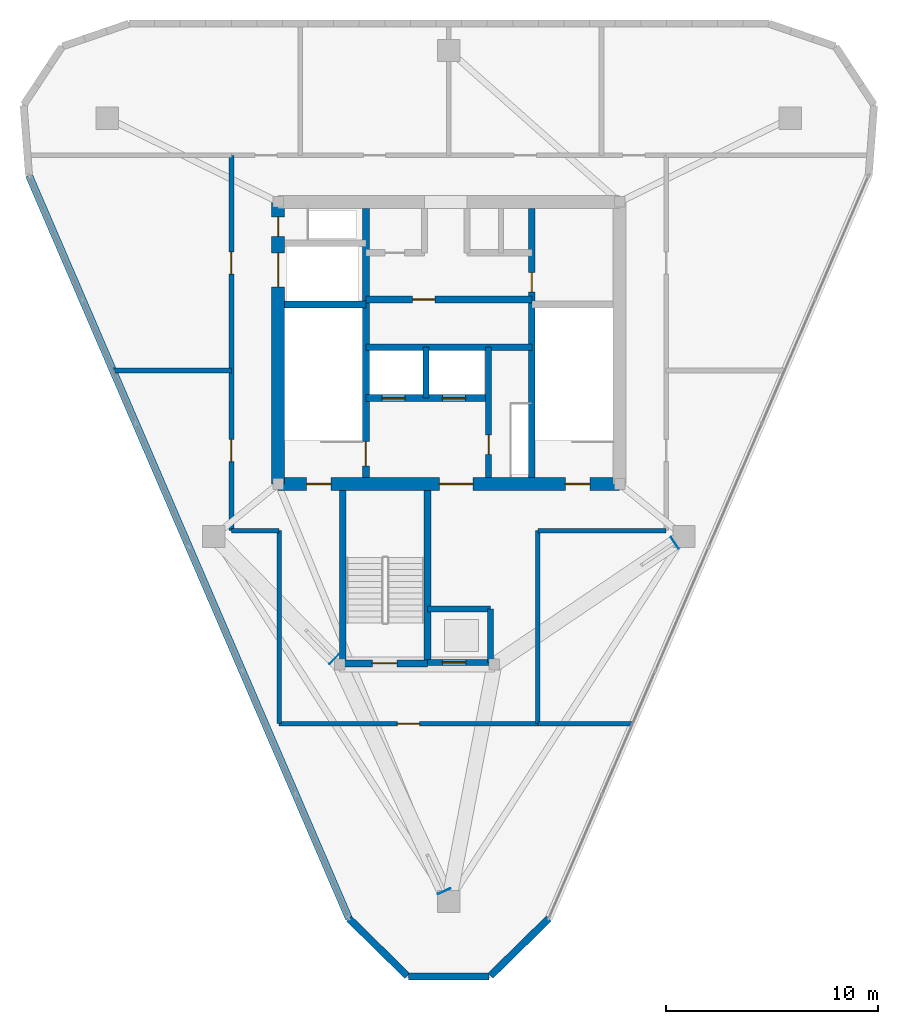
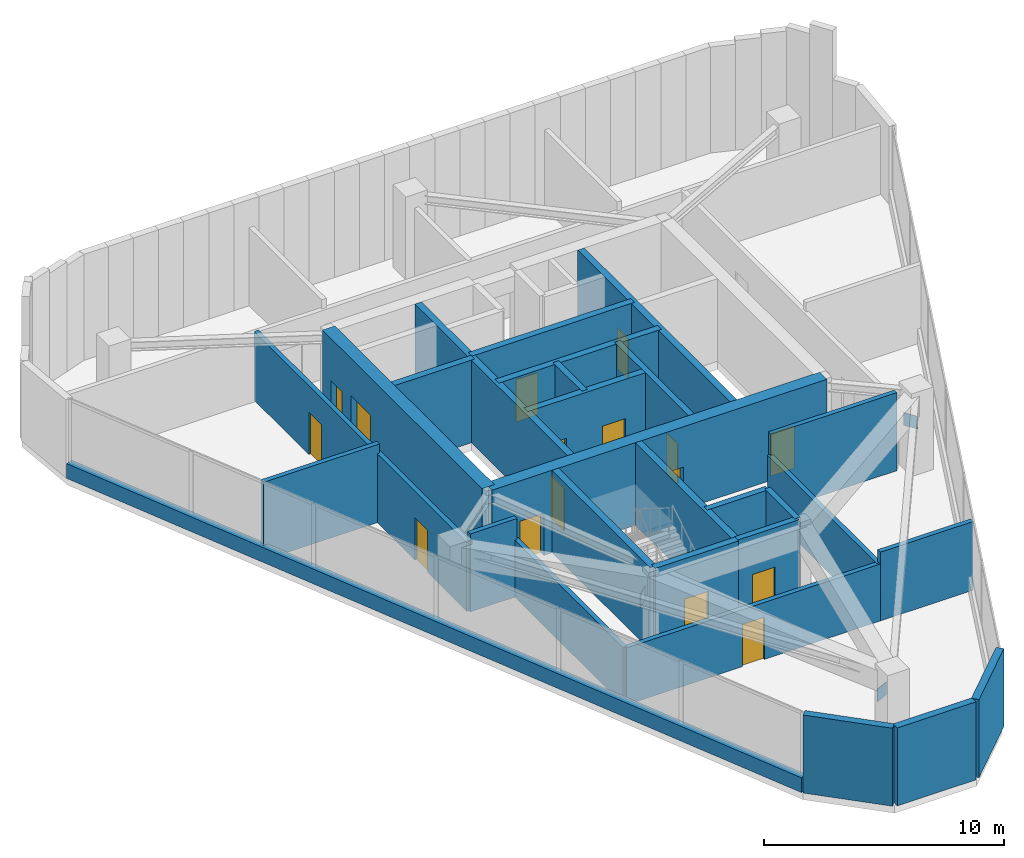
# One storey, part 5 of 9: 28 walls, 16 doors, 3 plates, 16 openings.
"""IFC4 building model written with IfcOpenShell, lengths in metres."""

from ifc_helpers import new_model, si_unit, direction, frame, frame_2d, origin, origin_2d, place, context, subcontext, project, spatial, rectangle, extrude, material, layer, layer_set, type_object, element, fill, save


model = new_model("IFC4")

# Units and contexts
model_context = context("Model", 3, precision=1e-05, world=origin(), true_north=direction((0.0, 1.0)))
body_context = subcontext(model_context, "Body", "Model", "MODEL_VIEW")
ifc_project = project(units=[si_unit("LENGTHUNIT", "METRE"), si_unit("AREAUNIT", "SQUARE_METRE"), si_unit("VOLUMEUNIT", "CUBIC_METRE"), si_unit("PLANEANGLEUNIT", "RADIAN"), si_unit("MASSUNIT", "GRAM", prefix="KILO")], contexts=[model_context])

# Site, building, storey
site_placement = place(None, origin())
site = spatial("IfcSite", under=ifc_project, at=site_placement, CompositionType="ELEMENT")
building_placement = place(site_placement, origin())
building = spatial("IfcBuilding", under=site, at=building_placement, Name="Talyreon Biosciences Tower", CompositionType="ELEMENT")
storey_placement = place(building_placement, frame((0.0, 0.0, 317.199951171875)))
storey = spatial("IfcBuildingStorey", under=building, at=storey_placement, Name="L84", CompositionType="ELEMENT", Elevation=317.199951171875)

# Plates
ifc_material_1 = material(Name="Steel SM355", Category="steel")
ifc_layer_1 = layer(ifc_material_1, 0.028076171875)
ifc_layer_set_1 = layer_set([ifc_layer_1], Name="Steel SM355")
plate_type = type_object("IfcPlateType", Name="HollowEndCapPlate_28", PredefinedType="SHEET", material=ifc_layer_set_1)
for number, where, z_axis, x_axis, name in (
    (1, (65.778076171875, 42.148193359375, 2.35498046875), (0.0, 0.0, 1.0), (-0.908172399575, -0.418596336163, 0.0), "Truss node plate NP-L84-ST-01"),
    (2, (76.647216796875, 58.58349609375, 2.35498046875), (0.0, 0.0, 1.0), (0.560017384428, -0.82848085623, 0.0), "Truss node plate NP-L84-ST-02"),
    (3, (60.59765625, 53.0966796875, 2.35498046875), (0.0, 0.0, 1.0), (-0.713225982371, -0.70093416101, 0.0), "Truss node plate NP-L84-ST-03"),
):
    element("IfcPlate", number, at=place(storey_placement, frame(where, z_axis=z_axis, x_axis=x_axis)), inside=storey, type_object=plate_type, Name=name, PredefinedType="SHEET", context=body_context, shape_type="SweptSolid", body=[
        extrude(rectangle(XDim=0.64990234375, YDim=0.028076171875, at=origin_2d()), origin(), (0.0, 0.0, 1.0), 0.64990234375),
    ])

# Wall
ifc_material_2 = material(Name="Concrete C50/60", Category="concrete")
ifc_layer_2 = layer(ifc_material_2, 0.280029296875)
ifc_layer_set_2 = layer_set([ifc_layer_2], Name="Concrete C50/60")
wall_type_1 = type_object("IfcWallType", Name="CoreShearWall_280", PredefinedType="SHEAR", material=ifc_layer_set_2)
wall_1_placement = place(storey_placement, frame((64.919921875, 65.39990234375, 0.0), z_axis=(0.0, 0.0, 1.0), x_axis=(0.0, 1.0, 0.0)))
element("IfcWall", 4, at=wall_1_placement, inside=storey, type_object=wall_type_1, Name="L84 Core Shaft Wall SWSHD1", PredefinedType="SHEAR", context=body_context, shape_type="SweptSolid", body=[
    extrude(rectangle(XDim=2.400146484375, YDim=0.280029296875, at=frame_2d((1.2001953125, 0.0))), origin(), (0.0, 0.0, 1.0), 4.199951171875),
])

# Wall, opening, door
wall_2_placement = place(storey_placement, frame((67.8798828125, 61.64990234375, 0.0), z_axis=(0.0, 0.0, 1.0), x_axis=(0.0, 1.0, 0.0)))
wall_2 = element("IfcWall", 5, at=wall_2_placement, inside=storey, type_object=wall_type_1, Name="L84 Core Shaft Wall SWFFE", PredefinedType="SHEAR", context=body_context, shape_type="SweptSolid", body=[
    extrude(rectangle(XDim=6.150146484375, YDim=0.280029296875, at=frame_2d((3.0751953125, 0.0))), origin(), (0.0, 0.0, 1.0), 4.199951171875),
])
opening_1_placement = place(wall_2_placement, frame((1.10009765625, 0.0, 0.0)))
opening_1 = element("IfcOpeningElement", 6, at=opening_1_placement, cuts=wall_2, Name="Opening DR-L84-RSE", PredefinedType="OPENING", context=body_context, shape_type="SweptSolid", body=[
    extrude(rectangle(XDim=0.919921875, YDim=2.050048828125, at=frame_2d((0.4599609375, 1.02490234375))), frame((0.0, 0.14990234375, 0.0), z_axis=(0.0, -1.0, 0.0), x_axis=(1.0, 0.0, 0.0)), (0.0, 0.0, 1.0), 0.300048828125),
])
ifc_material_3 = material(Name="Painted steel fire-rated riser door", Category="steel")
door_type_1 = type_object("IfcDoorType", Name="RiserPlantAccessDoor_920x2050", OperationType="NOTDEFINED", PredefinedType="DOOR", material=ifc_material_3)
door_1_placement = place(opening_1_placement, origin())
door_1 = element("IfcDoor", 7, at=door_1_placement, inside=storey, type_object=door_type_1, Name="L84 Core Door DR-L84-RSE", OperationType="SINGLE_SWING_RIGHT", OverallHeight=2.050048828125, OverallWidth=0.919921875, PredefinedType="DOOR", context=body_context, shape_type="SweptSolid", body=[
    extrude(rectangle(XDim=0.919921875, YDim=2.050048828125, at=frame_2d((0.4599609375, 1.02490234375))), frame((0.0, 0.02490234375, 0.0), z_axis=(0.0, -1.0, 0.0), x_axis=(1.0, 0.0, 0.0)), (0.0, 0.0, 1.0), 0.050048828125),
])
fill(opening_1, door_1)

# Walls
wall_3_placement = place(storey_placement, frame((67.9599609375, 52.93994140625, 0.0), z_axis=(0.0, 0.0, 1.0), x_axis=(0.0, 1.0, 0.0)))
element("IfcWall", 8, at=wall_3_placement, inside=storey, type_object=wall_type_1, Name="L84 Crown Service Lift SL1 Shaft Wall E", PredefinedType="SHEAR", context=body_context, shape_type="SweptSolid", body=[
    extrude(rectangle(XDim=2.52001953125, YDim=0.280029296875, at=frame_2d((1.260009765625, 0.0))), origin(), (0.0, 0.0, 1.0), 4.199951171875),
])
wall_4_placement = place(storey_placement, frame((65.0, 55.4599609375, 0.0), z_axis=(0.0, 0.0, 1.0), x_axis=(1.0, 0.0, 0.0)))
element("IfcWall", 9, at=wall_4_placement, inside=storey, type_object=wall_type_1, Name="L84 Crown Service Lift SL1 Shaft Wall N", PredefinedType="SHEAR", context=body_context, shape_type="SweptSolid", body=[
    extrude(rectangle(XDim=2.9599609375, YDim=0.280029296875, at=frame_2d((1.47998046875, 0.0))), origin(), (0.0, 0.0, 1.0), 4.199951171875),
])

# Wall, opening, door
wall_5_placement = place(storey_placement, frame((65.0, 52.93994140625, 0.0), z_axis=(0.0, 0.0, 1.0), x_axis=(1.0, 0.0, 0.0)))
wall_5 = element("IfcWall", 10, at=wall_5_placement, inside=storey, type_object=wall_type_1, Name="L84 Crown Service Lift SL1 Shaft Wall S", PredefinedType="SHEAR", context=body_context, shape_type="SweptSolid", body=[
    extrude(rectangle(XDim=2.9599609375, YDim=0.280029296875, at=frame_2d((1.47998046875, 0.0))), origin(), (0.0, 0.0, 1.0), 4.199951171875),
])
opening_2_placement = place(wall_5_placement, frame((0.699951171875, 0.0, 0.0)))
opening_2 = element("IfcOpeningElement", 11, at=opening_2_placement, cuts=wall_5, Name="Opening LD-L84-SL1", PredefinedType="OPENING", context=body_context, shape_type="SweptSolid", body=[
    extrude(rectangle(XDim=1.10009765625, YDim=2.199951171875, at=frame_2d((0.550048828125, 1.10009765625))), frame((0.0, 0.14990234375, 0.0), z_axis=(0.0, -1.0, 0.0), x_axis=(1.0, 0.0, 0.0)), (0.0, 0.0, 1.0), 0.300048828125),
])
ifc_material_4 = material(Name="Brushed stainless-steel lift landing door", Category="steel")
door_type_2 = type_object("IfcDoorType", Name="LiftSlidingLandingDoor_1100x2200", OperationType="SLIDING_TO_LEFT", PredefinedType="DOOR", material=ifc_material_4)
door_2_placement = place(opening_2_placement, origin())
door_2 = element("IfcDoor", 12, at=door_2_placement, inside=storey, type_object=door_type_2, Name="L84 Core Door LD-L84-SL1", OperationType="SLIDING_TO_LEFT", OverallHeight=2.199951171875, OverallWidth=1.10009765625, PredefinedType="DOOR", context=body_context, shape_type="SweptSolid", body=[
    extrude(rectangle(XDim=1.10009765625, YDim=2.199951171875, at=frame_2d((0.550048828125, 1.10009765625))), frame((0.0, 0.02490234375, 0.0), z_axis=(0.0, -1.0, 0.0), x_axis=(1.0, 0.0, 0.0)), (0.0, 0.0, 1.0), 0.050048828125),
])
fill(opening_2, door_2)

ifc_layer_3 = layer(ifc_material_2, 0.320068359375)
ifc_layer_set_3 = layer_set([ifc_layer_3], Name="Concrete C50/60")
wall_type_2 = type_object("IfcWallType", Name="CoreShearWall_320", PredefinedType="SHEAR", material=ifc_layer_set_3)
wall_6_placement = place(storey_placement, frame((62.090087890625, 61.64990234375, 0.0), z_axis=(0.0, 0.0, 1.0), x_axis=(0.0, 1.0, 0.0)))
wall_6 = element("IfcWall", 13, at=wall_6_placement, inside=storey, type_object=wall_type_2, Name="L84 Core Shaft Wall SW1E", PredefinedType="SHEAR", context=body_context, shape_type="SweptSolid", body=[
    extrude(rectangle(XDim=12.7001953125, YDim=0.320068359375, at=frame_2d((6.35009765625, 0.0))), origin(), (0.0, 0.0, 1.0), 4.199951171875),
])
opening_3_placement = place(wall_6_placement, frame((0.550048828125, 0.0, 0.0)))
opening_3 = element("IfcOpeningElement", 14, at=opening_3_placement, cuts=wall_6, Name="Opening DR-L84-FF-ST1", PredefinedType="OPENING", context=body_context, shape_type="SweptSolid", body=[
    extrude(rectangle(XDim=1.14990234375, YDim=2.14990234375, at=frame_2d((0.574951171875, 1.074951171875))), frame((0.0, 0.169921875, 0.0), z_axis=(0.0, -1.0, 0.0), x_axis=(1.0, 0.0, 0.0)), (0.0, 0.0, 1.0), 0.340087890625),
])
ifc_material_5 = material(Name="Painted steel fire door", Category="steel")
door_type_3 = type_object("IfcDoorType", Name="StairShaftFireDoor_1150x2150", OperationType="NOTDEFINED", PredefinedType="DOOR", material=ifc_material_5)
door_3_placement = place(opening_3_placement, origin())
door_3 = element("IfcDoor", 15, at=door_3_placement, inside=storey, type_object=door_type_3, Name="L84 Core Door DR-L84-FF-ST1", OperationType="SINGLE_SWING_LEFT", OverallHeight=2.14990234375, OverallWidth=1.14990234375, PredefinedType="DOOR", context=body_context, shape_type="SweptSolid", body=[
    extrude(rectangle(XDim=1.14990234375, YDim=2.14990234375, at=frame_2d((0.574951171875, 1.074951171875))), frame((0.0, 0.02490234375, 0.0), z_axis=(0.0, -1.0, 0.0), x_axis=(1.0, 0.0, 0.0)), (0.0, 0.0, 1.0), 0.050048828125),
])
fill(opening_3, door_3)

wall_7_placement = place(storey_placement, frame((69.909912109375, 61.64990234375, 0.0), z_axis=(0.0, 0.0, 1.0), x_axis=(0.0, 1.0, 0.0)))
wall_7 = element("IfcWall", 16, at=wall_7_placement, inside=storey, type_object=wall_type_2, Name="L84 Core Shaft Wall SW2W", PredefinedType="SHEAR", context=body_context, shape_type="SweptSolid", body=[
    extrude(rectangle(XDim=12.7001953125, YDim=0.320068359375, at=frame_2d((6.35009765625, 0.0))), origin(), (0.0, 0.0, 1.0), 4.199951171875),
])
opening_4_placement = place(wall_7_placement, frame((8.75, 0.0, 0.0)))
opening_4 = element("IfcOpeningElement", 17, at=opening_4_placement, cuts=wall_7, Name="Opening DR-L84-CSRV", PredefinedType="OPENING", context=body_context, shape_type="SweptSolid", body=[
    extrude(rectangle(XDim=0.919921875, YDim=2.050048828125, at=frame_2d((0.4599609375, 1.02490234375))), frame((0.0, 0.169921875, 0.0), z_axis=(0.0, -1.0, 0.0), x_axis=(1.0, 0.0, 0.0)), (0.0, 0.0, 1.0), 0.340087890625),
])
door_4_placement = place(opening_4_placement, origin())
door_4 = element("IfcDoor", 18, at=door_4_placement, inside=storey, type_object=door_type_1, Name="L84 Core Door DR-L84-CSRV", OperationType="SINGLE_SWING_RIGHT", OverallHeight=2.050048828125, OverallWidth=0.919921875, PredefinedType="DOOR", context=body_context, shape_type="SweptSolid", body=[
    extrude(rectangle(XDim=0.919921875, YDim=2.050048828125, at=frame_2d((0.4599609375, 1.02490234375))), frame((0.0, 0.02490234375, 0.0), z_axis=(0.0, -1.0, 0.0), x_axis=(1.0, 0.0, 0.0)), (0.0, 0.0, 1.0), 0.050048828125),
])
fill(opening_4, door_4)

# Walls
wall_8_placement = place(storey_placement, frame((58.25, 69.81005859375, 0.0), z_axis=(0.0, 0.0, 1.0), x_axis=(1.0, 0.0, 0.0)))
element("IfcWall", 19, at=wall_8_placement, inside=storey, type_object=wall_type_2, Name="L84 Core Shaft Wall SW1N", PredefinedType="SHEAR", context=body_context, shape_type="SweptSolid", body=[
    extrude(rectangle(XDim=3.840087890625, YDim=0.320068359375, at=frame_2d((1.919921875, 0.0))), origin(), (0.0, 0.0, 1.0), 4.199951171875),
])
wall_9_placement = place(storey_placement, frame((62.090087890625, 67.800048828125, 0.0), z_axis=(0.0, 0.0, 1.0), x_axis=(1.0, 0.0, 0.0)))
element("IfcWall", 20, at=wall_9_placement, inside=storey, type_object=wall_type_2, Name="L84 Core Shaft Wall SWSHM", PredefinedType="SHEAR", context=body_context, shape_type="SweptSolid", body=[
    extrude(rectangle(XDim=7.81982421875, YDim=0.320068359375, at=frame_2d((3.909912109375, 0.0))), origin(), (0.0, 0.0, 1.0), 4.199951171875),
])

# Wall, opening, door
wall_10_placement = place(storey_placement, frame((62.090087890625, 70.050048828125, 0.0), z_axis=(0.0, 0.0, 1.0), x_axis=(1.0, 0.0, 0.0)))
wall_10 = element("IfcWall", 21, at=wall_10_placement, inside=storey, type_object=wall_type_2, Name="L84 Core Shaft Wall SWSPN", PredefinedType="SHEAR", context=body_context, shape_type="SweptSolid", body=[
    extrude(rectangle(XDim=7.81982421875, YDim=0.320068359375, at=frame_2d((3.909912109375, 0.0))), origin(), (0.0, 0.0, 1.0), 4.199951171875),
])
opening_5_placement = place(wall_10_placement, frame((2.199951171875, 0.0, 0.0)))
opening_5 = element("IfcOpeningElement", 22, at=opening_5_placement, cuts=wall_10, Name="Opening DR-L84-PLPMFREE", PredefinedType="OPENING", context=body_context, shape_type="SweptSolid", body=[
    extrude(rectangle(XDim=1.050048828125, YDim=2.14990234375, at=frame_2d((0.52490234375, 1.074951171875))), frame((0.0, 0.169921875, 0.0), z_axis=(0.0, -1.0, 0.0), x_axis=(1.0, 0.0, 0.0)), (0.0, 0.0, 1.0), 0.340087890625),
])
ifc_material_6 = material(Name="Acoustic timber-core laboratory door", Category="wood")
door_type_4 = type_object("IfcDoorType", Name="DryLabSingleDoor_1050x2150", OperationType="NOTDEFINED", PredefinedType="DOOR", material=ifc_material_6)
door_5_placement = place(opening_5_placement, origin())
door_5 = element("IfcDoor", 23, at=door_5_placement, inside=storey, type_object=door_type_4, Name="L84 Core Door DR-L84-PLPMFREE", OperationType="SINGLE_SWING_LEFT", OverallHeight=2.14990234375, OverallWidth=1.050048828125, PredefinedType="DOOR", context=body_context, shape_type="SweptSolid", body=[
    extrude(rectangle(XDim=1.050048828125, YDim=2.14990234375, at=frame_2d((0.52490234375, 1.074951171875))), frame((0.0, 0.02490234375, 0.0), z_axis=(0.0, -1.0, 0.0), x_axis=(1.0, 0.0, 0.0)), (0.0, 0.0, 1.0), 0.050048828125),
])
fill(opening_5, door_5)

# Wall, openings, doors
wall_11_placement = place(storey_placement, frame((62.090087890625, 65.39990234375, 0.0), z_axis=(0.0, 0.0, 1.0), x_axis=(1.0, 0.0, 0.0)))
wall_11 = element("IfcWall", 24, at=wall_11_placement, inside=storey, type_object=wall_type_2, Name="L84 Core Shaft Wall SWFFN", PredefinedType="SHEAR", context=body_context, shape_type="SweptSolid", body=[
    extrude(rectangle(XDim=5.789794921875, YDim=0.320068359375, at=frame_2d((2.89501953125, 0.0))), origin(), (0.0, 0.0, 1.0), 4.199951171875),
])
opening_6_placement = place(wall_11_placement, frame((0.75, 0.0, 0.0)))
opening_6 = element("IfcOpeningElement", 25, at=opening_6_placement, cuts=wall_11, Name="Opening LD-L84-FL1", PredefinedType="OPENING", context=body_context, shape_type="SweptSolid", body=[
    extrude(rectangle(XDim=1.10009765625, YDim=2.199951171875, at=frame_2d((0.550048828125, 1.10009765625))), frame((0.0, 0.169921875, 0.0), z_axis=(0.0, -1.0, 0.0), x_axis=(1.0, 0.0, 0.0)), (0.0, 0.0, 1.0), 0.340087890625),
])
opening_7_placement = place(wall_11_placement, frame((3.60009765625, 0.0, 0.0)))
opening_7 = element("IfcOpeningElement", 26, at=opening_7_placement, cuts=wall_11, Name="Opening LD-L84-FL2", PredefinedType="OPENING", context=body_context, shape_type="SweptSolid", body=[
    extrude(rectangle(XDim=1.10009765625, YDim=2.199951171875, at=frame_2d((0.550048828125, 1.10009765625))), frame((0.0, 0.169921875, 0.0), z_axis=(0.0, -1.0, 0.0), x_axis=(1.0, 0.0, 0.0)), (0.0, 0.0, 1.0), 0.340087890625),
])
door_6_placement = place(opening_6_placement, origin())
door_6 = element("IfcDoor", 27, at=door_6_placement, inside=storey, type_object=door_type_2, Name="L84 Core Door LD-L84-FL1", OperationType="SLIDING_TO_LEFT", OverallHeight=2.199951171875, OverallWidth=1.10009765625, PredefinedType="DOOR", context=body_context, shape_type="SweptSolid", body=[
    extrude(rectangle(XDim=1.10009765625, YDim=2.199951171875, at=frame_2d((0.550048828125, 1.10009765625))), frame((0.0, 0.02490234375, 0.0), z_axis=(0.0, -1.0, 0.0), x_axis=(1.0, 0.0, 0.0)), (0.0, 0.0, 1.0), 0.050048828125),
])
fill(opening_6, door_6)
door_7_placement = place(opening_7_placement, origin())
door_7 = element("IfcDoor", 28, at=door_7_placement, inside=storey, type_object=door_type_2, Name="L84 Core Door LD-L84-FL2", OperationType="SLIDING_TO_LEFT", OverallHeight=2.199951171875, OverallWidth=1.10009765625, PredefinedType="DOOR", context=body_context, shape_type="SweptSolid", body=[
    extrude(rectangle(XDim=1.10009765625, YDim=2.199951171875, at=frame_2d((0.550048828125, 1.10009765625))), frame((0.0, 0.02490234375, 0.0), z_axis=(0.0, -1.0, 0.0), x_axis=(1.0, 0.0, 0.0)), (0.0, 0.0, 1.0), 0.050048828125),
])
fill(opening_7, door_7)

# Walls
for number, where, z_axis, x_axis, name in (
    (29, (61.0, 52.889892578125, 0.0), (0.0, 0.0, 1.0), (0.0, 1.0, 0.0), "L84 Crown Stair ST-4 Structural Wall W"),
    (30, (65.0, 52.889892578125, 0.0), (0.0, 0.0, 1.0), (0.0, 1.0, 0.0), "L84 Crown Stair ST-4 Structural Wall E"),
):
    element("IfcWall", number, at=place(storey_placement, frame(where, z_axis=z_axis, x_axis=x_axis)), inside=storey, type_object=wall_type_2, Name=name, PredefinedType="SHEAR", context=body_context, shape_type="SweptSolid", body=[
        extrude(rectangle(XDim=8.16015625, YDim=0.320068359375, at=frame_2d((4.080078125, 0.0))), origin(), (0.0, 0.0, 1.0), 4.199951171875),
    ])

# Wall, opening, door
wall_12_placement = place(storey_placement, frame((61.0, 52.889892578125, 0.0), z_axis=(0.0, 0.0, 1.0), x_axis=(1.0, 0.0, 0.0)))
wall_12 = element("IfcWall", 31, at=wall_12_placement, inside=storey, type_object=wall_type_2, Name="L84 Crown Stair ST-4 Structural Wall S", PredefinedType="SHEAR", context=body_context, shape_type="SweptSolid", body=[
    extrude(rectangle(XDim=4.0, YDim=0.320068359375, at=frame_2d((2.0, 0.0))), origin(), (0.0, 0.0, 1.0), 4.199951171875),
])
opening_8_placement = place(wall_12_placement, frame((1.39990234375, 0.0, 0.0)))
opening_8 = element("IfcOpeningElement", 32, at=opening_8_placement, cuts=wall_12, Name="Opening DR-L84-ST4", PredefinedType="OPENING", context=body_context, shape_type="SweptSolid", body=[
    extrude(rectangle(XDim=1.14990234375, YDim=2.14990234375, at=frame_2d((0.574951171875, 1.074951171875))), frame((0.0, 0.169921875, 0.0), z_axis=(0.0, -1.0, 0.0), x_axis=(1.0, 0.0, 0.0)), (0.0, 0.0, 1.0), 0.340087890625),
])
door_8_placement = place(opening_8_placement, origin())
door_8 = element("IfcDoor", 33, at=door_8_placement, inside=storey, type_object=door_type_3, Name="L84 Core Door DR-L84-ST4", OperationType="SINGLE_SWING_LEFT", OverallHeight=2.14990234375, OverallWidth=1.14990234375, PredefinedType="DOOR", context=body_context, shape_type="SweptSolid", body=[
    extrude(rectangle(XDim=1.14990234375, YDim=2.14990234375, at=frame_2d((0.574951171875, 1.074951171875))), frame((0.0, 0.02490234375, 0.0), z_axis=(0.0, -1.0, 0.0), x_axis=(1.0, 0.0, 0.0)), (0.0, 0.0, 1.0), 0.050048828125),
])
fill(opening_8, door_8)

# Wall, openings, doors
ifc_layer_4 = layer(ifc_material_2, 0.60009765625)
ifc_layer_set_4 = layer_set([ifc_layer_4], Name="Concrete C50/60")
wall_type_3 = type_object("IfcWallType", Name="CoreShearWall_600", PredefinedType="SHEAR", material=ifc_layer_set_4)
wall_13_placement = place(storey_placement, frame((57.949951171875, 61.35009765625, 0.0), z_axis=(0.0, 0.0, 1.0), x_axis=(1.0, 0.0, 0.0)))
wall_13 = element("IfcWall", 34, at=wall_13_placement, inside=storey, type_object=wall_type_3, Name="L84 Core Shear Wall S", PredefinedType="SHEAR", context=body_context, shape_type="SweptSolid", body=[
    extrude(rectangle(XDim=16.10009765625, YDim=0.60009765625, at=frame_2d((8.050048828125, 0.0))), origin(), (0.0, 0.0, 1.0), 4.199951171875),
])
opening_9_placement = place(wall_13_placement, frame((1.35009765625, 0.0, 0.0)))
opening_9 = element("IfcOpeningElement", 35, at=opening_9_placement, cuts=wall_13, Name="Opening DR-L84-ST1", PredefinedType="OPENING", context=body_context, shape_type="SweptSolid", body=[
    extrude(rectangle(XDim=1.14990234375, YDim=2.14990234375, at=frame_2d((0.574951171875, 1.074951171875))), frame((0.0, 0.31005859375, 0.0), z_axis=(0.0, -1.0, 0.0), x_axis=(1.0, 0.0, 0.0)), (0.0, 0.0, 1.0), 0.6201171875),
])
opening_10_placement = place(wall_13_placement, frame((7.60009765625, 0.0, 0.0)))
opening_10 = element("IfcOpeningElement", 36, at=opening_10_placement, cuts=wall_13, Name="Opening DR-L84-FFL", PredefinedType="OPENING", context=body_context, shape_type="SweptSolid", body=[
    extrude(rectangle(XDim=1.60009765625, YDim=2.14990234375, at=frame_2d((0.800048828125, 1.074951171875))), frame((0.0, 0.31005859375, 0.0), z_axis=(0.0, -1.0, 0.0), x_axis=(1.0, 0.0, 0.0)), (0.0, 0.0, 1.0), 0.6201171875),
])
opening_11_placement = place(wall_13_placement, frame((13.550048828125, 0.0, 0.0)))
opening_11 = element("IfcOpeningElement", 37, at=opening_11_placement, cuts=wall_13, Name="Opening DR-L84-ST2", PredefinedType="OPENING", context=body_context, shape_type="SweptSolid", body=[
    extrude(rectangle(XDim=1.14990234375, YDim=2.14990234375, at=frame_2d((0.574951171875, 1.074951171875))), frame((0.0, 0.31005859375, 0.0), z_axis=(0.0, -1.0, 0.0), x_axis=(1.0, 0.0, 0.0)), (0.0, 0.0, 1.0), 0.6201171875),
])
ifc_material_7 = material(Name="Painted steel smoke-seal fire door", Category="steel")
door_type_5 = type_object("IfcDoorType", Name="FirefightingLobbyDoubleDoor_1600x2150", OperationType="DOUBLE_DOOR_SINGLE_SWING", PredefinedType="DOOR", material=ifc_material_7)
door_9_placement = place(opening_10_placement, origin())
door_9 = element("IfcDoor", 38, at=door_9_placement, inside=storey, type_object=door_type_5, Name="L84 Core Door DR-L84-FFL", OperationType="DOUBLE_DOOR_SINGLE_SWING", OverallHeight=2.14990234375, OverallWidth=1.60009765625, PredefinedType="DOOR", context=body_context, shape_type="SweptSolid", body=[
    extrude(rectangle(XDim=1.60009765625, YDim=2.14990234375, at=frame_2d((0.800048828125, 1.074951171875))), frame((0.0, 0.02490234375, 0.0), z_axis=(0.0, -1.0, 0.0), x_axis=(1.0, 0.0, 0.0)), (0.0, 0.0, 1.0), 0.050048828125),
])
fill(opening_10, door_9)
door_10_placement = place(opening_9_placement, origin())
door_10 = element("IfcDoor", 39, at=door_10_placement, inside=storey, type_object=door_type_3, Name="L84 Core Door DR-L84-ST1", OperationType="SINGLE_SWING_LEFT", OverallHeight=2.14990234375, OverallWidth=1.14990234375, PredefinedType="DOOR", context=body_context, shape_type="SweptSolid", body=[
    extrude(rectangle(XDim=1.14990234375, YDim=2.14990234375, at=frame_2d((0.574951171875, 1.074951171875))), frame((0.0, 0.02490234375, 0.0), z_axis=(0.0, -1.0, 0.0), x_axis=(1.0, 0.0, 0.0)), (0.0, 0.0, 1.0), 0.050048828125),
])
fill(opening_9, door_10)
door_11_placement = place(opening_11_placement, origin())
door_11 = element("IfcDoor", 40, at=door_11_placement, inside=storey, type_object=door_type_3, Name="L84 Core Door DR-L84-ST2", OperationType="SINGLE_SWING_RIGHT", OverallHeight=2.14990234375, OverallWidth=1.14990234375, PredefinedType="DOOR", context=body_context, shape_type="SweptSolid", body=[
    extrude(rectangle(XDim=1.14990234375, YDim=2.14990234375, at=frame_2d((0.574951171875, 1.074951171875))), frame((0.0, 0.02490234375, 0.0), z_axis=(0.0, -1.0, 0.0), x_axis=(1.0, 0.0, 0.0)), (0.0, 0.0, 1.0), 0.050048828125),
])
fill(opening_11, door_11)

wall_14_placement = place(storey_placement, frame((57.949951171875, 74.64990234375, 0.0), z_axis=(0.0, 0.0, 1.0), x_axis=(0.0, -1.0, 0.0)))
wall_14 = element("IfcWall", 41, at=wall_14_placement, inside=storey, type_object=wall_type_3, Name="L84 Core Shear Wall W", PredefinedType="SHEAR", context=body_context, shape_type="SweptSolid", body=[
    extrude(rectangle(XDim=13.2998046875, YDim=0.60009765625, at=frame_2d((6.64990234375, 0.0))), origin(), (0.0, 0.0, 1.0), 4.199951171875),
])
opening_12_placement = place(wall_14_placement, frame((0.699951171875, 0.0, 0.0)))
opening_12 = element("IfcOpeningElement", 42, at=opening_12_placement, cuts=wall_14, Name="Opening DR-L84-RSW", PredefinedType="OPENING", context=body_context, shape_type="SweptSolid", body=[
    extrude(rectangle(XDim=0.919921875, YDim=2.050048828125, at=frame_2d((0.4599609375, 1.02490234375))), frame((0.0, 0.31005859375, 0.0), z_axis=(0.0, -1.0, 0.0), x_axis=(1.0, 0.0, 0.0)), (0.0, 0.0, 1.0), 0.6201171875),
])
opening_13_placement = place(wall_14_placement, frame((2.39990234375, 0.0, 0.0)))
opening_13 = element("IfcOpeningElement", 43, at=opening_13_placement, cuts=wall_14, Name="Opening LD-L84-GL1", PredefinedType="OPENING", context=body_context, shape_type="SweptSolid", body=[
    extrude(rectangle(XDim=1.60009765625, YDim=2.300048828125, at=frame_2d((0.800048828125, 1.14990234375))), frame((0.0, 0.31005859375, 0.0), z_axis=(0.0, -1.0, 0.0), x_axis=(1.0, 0.0, 0.0)), (0.0, 0.0, 1.0), 0.6201171875),
])
ifc_material_8 = material(Name="Heavy-duty stainless-steel goods lift door", Category="steel")
door_type_6 = type_object("IfcDoorType", Name="GoodsLiftSlidingDoor_1600x2300", OperationType="DOUBLE_DOOR_SLIDING", PredefinedType="DOOR", material=ifc_material_8)
door_12_placement = place(opening_13_placement, origin())
door_12 = element("IfcDoor", 44, at=door_12_placement, inside=storey, type_object=door_type_6, Name="L84 Core Door LD-L84-GL1", OperationType="DOUBLE_DOOR_SLIDING", OverallHeight=2.300048828125, OverallWidth=1.60009765625, PredefinedType="DOOR", context=body_context, shape_type="SweptSolid", body=[
    extrude(rectangle(XDim=1.60009765625, YDim=2.300048828125, at=frame_2d((0.800048828125, 1.14990234375))), frame((0.0, 0.02490234375, 0.0), z_axis=(0.0, -1.0, 0.0), x_axis=(1.0, 0.0, 0.0)), (0.0, 0.0, 1.0), 0.050048828125),
])
fill(opening_13, door_12)
door_13_placement = place(opening_12_placement, origin())
door_13 = element("IfcDoor", 45, at=door_13_placement, inside=storey, type_object=door_type_1, Name="L84 Core Door DR-L84-RSW", OperationType="SINGLE_SWING_LEFT", OverallHeight=2.050048828125, OverallWidth=0.919921875, PredefinedType="DOOR", context=body_context, shape_type="SweptSolid", body=[
    extrude(rectangle(XDim=0.919921875, YDim=2.050048828125, at=frame_2d((0.4599609375, 1.02490234375))), frame((0.0, 0.02490234375, 0.0), z_axis=(0.0, -1.0, 0.0), x_axis=(1.0, 0.0, 0.0)), (0.0, 0.0, 1.0), 0.050048828125),
])
fill(opening_12, door_13)

# Walls
ifc_material_9 = material(Name="Gypsum fireboard acoustic stud", Category="gypsum")
ifc_layer_5 = layer(ifc_material_9, 0.219970703125)
ifc_layer_set_5 = layer_set([ifc_layer_5], Name="Gypsum fireboard acoustic stud")
wall_type_4 = type_object("IfcWallType", Name="CorridorRatedPartition_220", PredefinedType="PARTITIONING", material=ifc_layer_set_5)
wall_15_placement = place(storey_placement, frame((50.169921875, 66.699951171875, 0.0), z_axis=(0.0, 0.0, 1.0), x_axis=(1.0, 0.0, 0.0)))
element("IfcWall", 46, at=wall_15_placement, inside=storey, type_object=wall_type_4, Name="L84 Interior Wall IW-L84-WD1", PredefinedType="PARTITIONING", context=body_context, shape_type="SweptSolid", body=[
    extrude(rectangle(XDim=5.580078125, YDim=0.219970703125, at=frame_2d((2.7900390625, 0.0))), origin(), (0.0, 0.0, 1.0), 3.965087890625),
])
wall_16_placement = place(storey_placement, frame((55.75, 59.14990234375, 0.0), z_axis=(0.0, 0.0, 1.0), x_axis=(1.0, 0.0, 0.0)))
element("IfcWall", 47, at=wall_16_placement, inside=storey, type_object=wall_type_4, Name="L84 Interior Wall IW-L84-PC-SW", PredefinedType="PARTITIONING", context=body_context, shape_type="SweptSolid", body=[
    extrude(rectangle(XDim=2.25, YDim=0.219970703125, at=frame_2d((1.125, 0.0))), origin(), (0.0, 0.0, 1.0), 3.965087890625),
])
wall_17_placement = place(storey_placement, frame((70.199951171875, 59.14990234375, 0.0), z_axis=(0.0, 0.0, 1.0), x_axis=(1.0, 0.0, 0.0)))
element("IfcWall", 48, at=wall_17_placement, inside=storey, type_object=wall_type_4, Name="L84 Interior Wall IW-L84-PC-SE", PredefinedType="PARTITIONING", context=body_context, shape_type="SweptSolid", body=[
    extrude(rectangle(XDim=6.050048828125, YDim=0.219970703125, at=frame_2d((3.02490234375, 0.0))), origin(), (0.0, 0.0, 1.0), 3.965087890625),
])
for number, where, z_axis, x_axis, name in (
    (49, (58.0, 50.050048828125, 0.0), (0.0, 0.0, 1.0), (0.0, 1.0, 0.0), "L84 Interior Wall IW-L84-ST4L"),
    (50, (70.199951171875, 50.050048828125, 0.0), (0.0, 0.0, 1.0), (0.0, 1.0, 0.0), "L84 Interior Wall IW-L84-ST4R"),
):
    element("IfcWall", number, at=place(storey_placement, frame(where, z_axis=z_axis, x_axis=x_axis)), inside=storey, type_object=wall_type_4, Name=name, PredefinedType="PARTITIONING", context=body_context, shape_type="SweptSolid", body=[
        extrude(rectangle(XDim=9.099853515625, YDim=0.219970703125, at=frame_2d((4.5498046875, 0.0))), origin(), (0.0, 0.0, 1.0), 2.89501953125),
    ])

# Wall, opening, door
wall_18_placement = place(storey_placement, frame((58.0, 50.050048828125, 0.0), z_axis=(0.0, 0.0, 1.0), x_axis=(1.0, 0.0, 0.0)))
wall_18 = element("IfcWall", 51, at=wall_18_placement, inside=storey, type_object=wall_type_4, Name="L84 Interior Wall IW-L84-ST4S", PredefinedType="PARTITIONING", context=body_context, shape_type="SweptSolid", body=[
    extrude(rectangle(XDim=12.199951171875, YDim=0.219970703125, at=frame_2d((6.10009765625, 0.0))), origin(), (0.0, 0.0, 1.0), 2.89501953125),
])
opening_14_placement = place(wall_18_placement, frame((5.574951171875, 0.0, 0.0)))
opening_14 = element("IfcOpeningElement", 52, at=opening_14_placement, cuts=wall_18, Name="Opening DR-L84-PL-S", PredefinedType="OPENING", context=body_context, shape_type="SweptSolid", body=[
    extrude(rectangle(XDim=1.050048828125, YDim=2.14990234375, at=frame_2d((0.52490234375, 1.074951171875))), frame((0.0, 0.119873046875, 0.0), z_axis=(0.0, -1.0, 0.0), x_axis=(1.0, 0.0, 0.0)), (0.0, 0.0, 1.0), 0.239990234375),
])
door_14_placement = place(opening_14_placement, origin())
door_14 = element("IfcDoor", 53, at=door_14_placement, inside=storey, type_object=door_type_4, Name="L84 Interior Door DR-L84-PL-S", OperationType="SINGLE_SWING_RIGHT", OverallHeight=2.14990234375, OverallWidth=1.050048828125, PredefinedType="DOOR", context=body_context, shape_type="SweptSolid", body=[
    extrude(rectangle(XDim=1.050048828125, YDim=2.14990234375, at=frame_2d((0.52490234375, 1.074951171875))), frame((0.0, 0.02490234375, 0.0), z_axis=(0.0, -1.0, 0.0), x_axis=(1.0, 0.0, 0.0)), (0.0, 0.0, 1.0), 0.050048828125),
])
fill(opening_14, door_14)

# Wall
wall_19_placement = place(storey_placement, frame((70.199951171875, 50.050048828125, 0.0), z_axis=(0.0, 0.0, 1.0), x_axis=(1.0, 0.0, 0.0)))
element("IfcWall", 54, at=wall_19_placement, inside=storey, type_object=wall_type_4, Name="L84 Interior Wall IW-L84-SDIV-E", PredefinedType="PARTITIONING", context=body_context, shape_type="SweptSolid", body=[
    extrude(rectangle(XDim=4.461669921875, YDim=0.219970703125, at=frame_2d((2.23095703125, 0.0))), origin(), (0.0, 0.0, 1.0), 3.4951171875),
])

# Wall, openings, doors
wall_20_placement = place(storey_placement, frame((55.75, 59.14990234375, 0.0), z_axis=(0.0, 0.0, 1.0), x_axis=(0.0, 1.0, 0.0)))
wall_20 = element("IfcWall", 55, at=wall_20_placement, inside=storey, type_object=wall_type_4, Name="L84 Interior Wall IW-L84-PC-W", PredefinedType="PARTITIONING", context=body_context, shape_type="SweptSolid", body=[
    extrude(rectangle(XDim=17.7001953125, YDim=0.219970703125, at=frame_2d((8.85009765625, 0.0))), origin(), (0.0, 0.0, 1.0), 3.4951171875),
])
opening_15_placement = place(wall_20_placement, frame((3.25, 0.0, 0.0)))
opening_15 = element("IfcOpeningElement", 56, at=opening_15_placement, cuts=wall_20, Name="Opening DR-L84-PL-WB", PredefinedType="OPENING", context=body_context, shape_type="SweptSolid", body=[
    extrude(rectangle(XDim=1.050048828125, YDim=2.14990234375, at=frame_2d((0.52490234375, 1.074951171875))), frame((0.0, 0.119873046875, 0.0), z_axis=(0.0, -1.0, 0.0), x_axis=(1.0, 0.0, 0.0)), (0.0, 0.0, 1.0), 0.239990234375),
])
opening_16_placement = place(wall_20_placement, frame((12.10009765625, 0.0, 0.0)))
opening_16 = element("IfcOpeningElement", 57, at=opening_16_placement, cuts=wall_20, Name="Opening DR-L84-PL-WA", PredefinedType="OPENING", context=body_context, shape_type="SweptSolid", body=[
    extrude(rectangle(XDim=1.050048828125, YDim=2.14990234375, at=frame_2d((0.52490234375, 1.074951171875))), frame((0.0, 0.119873046875, 0.0), z_axis=(0.0, -1.0, 0.0), x_axis=(1.0, 0.0, 0.0)), (0.0, 0.0, 1.0), 0.239990234375),
])
door_15_placement = place(opening_15_placement, origin())
door_15 = element("IfcDoor", 58, at=door_15_placement, inside=storey, type_object=door_type_4, Name="L84 Interior Door DR-L84-PL-WB", OperationType="SINGLE_SWING_RIGHT", OverallHeight=2.14990234375, OverallWidth=1.050048828125, PredefinedType="DOOR", context=body_context, shape_type="SweptSolid", body=[
    extrude(rectangle(XDim=1.050048828125, YDim=2.14990234375, at=frame_2d((0.52490234375, 1.074951171875))), frame((0.0, 0.02490234375, 0.0), z_axis=(0.0, -1.0, 0.0), x_axis=(1.0, 0.0, 0.0)), (0.0, 0.0, 1.0), 0.050048828125),
])
fill(opening_15, door_15)
door_16_placement = place(opening_16_placement, origin())
door_16 = element("IfcDoor", 59, at=door_16_placement, inside=storey, type_object=door_type_4, Name="L84 Interior Door DR-L84-PL-WA", OperationType="SINGLE_SWING_RIGHT", OverallHeight=2.14990234375, OverallWidth=1.050048828125, PredefinedType="DOOR", context=body_context, shape_type="SweptSolid", body=[
    extrude(rectangle(XDim=1.050048828125, YDim=2.14990234375, at=frame_2d((0.52490234375, 1.074951171875))), frame((0.0, 0.02490234375, 0.0), z_axis=(0.0, -1.0, 0.0), x_axis=(1.0, 0.0, 0.0)), (0.0, 0.0, 1.0), 0.050048828125),
])
fill(opening_16, door_16)

# Walls
ifc_material_10 = material(Name="Precast concrete C45/55", Category="concrete")
ifc_layer_6 = layer(ifc_material_10, 0.340087890625)
ifc_layer_set_6 = layer_set([ifc_layer_6], Name="Precast concrete C45/55")
wall_type_5 = type_object("IfcWallType", Name="PrecastConcreteSpandrelWall_340", PredefinedType="STANDARD", material=ifc_layer_set_6)
wall_21_placement = place(storey_placement, frame((70.708740234375, 40.856689453125, 0.0), z_axis=(0.0, 0.0, 1.0), x_axis=(-0.713578383516, -0.700575399639, 0.0)))
element("IfcWall", 60, at=wall_21_placement, inside=storey, type_object=wall_type_5, Name="L84 Stepped Crown Concrete Wall 08", PredefinedType="STANDARD", context=body_context, shape_type="SweptSolid", body=[
    extrude(rectangle(XDim=3.84912109375, YDim=0.340087890625, at=frame_2d((1.924560546875, 0.0))), origin(), (0.0, 0.0, 1.0), 3.965087890625),
])
wall_22_placement = place(storey_placement, frame((67.89697265625, 38.133544921875, 0.0), z_axis=(0.0, 0.0, 1.0), x_axis=(-1.0, 0.0, 0.0)))
element("IfcWall", 61, at=wall_22_placement, inside=storey, type_object=wall_type_5, Name="L84 Stepped Crown Concrete Wall 09", PredefinedType="STANDARD", context=body_context, shape_type="SweptSolid", body=[
    extrude(rectangle(XDim=3.7939453125, YDim=0.340087890625, at=frame_2d((1.89697265625, 0.0))), origin(), (0.0, 0.0, 1.0), 3.965087890625),
])
wall_23_placement = place(storey_placement, frame((64.037841796875, 38.16015625, 0.0), z_axis=(0.0, 0.0, 1.0), x_axis=(-0.713578383516, 0.700575399639, 0.0)))
element("IfcWall", 62, at=wall_23_placement, inside=storey, type_object=wall_type_5, Name="L84 Stepped Crown Concrete Wall 10", PredefinedType="STANDARD", context=body_context, shape_type="SweptSolid", body=[
    extrude(rectangle(XDim=3.84912109375, YDim=0.340087890625, at=frame_2d((1.924560546875, 0.0))), origin(), (0.0, 0.0, 1.0), 3.965087890625),
])
wall_24_placement = place(storey_placement, frame((61.291259765625, 40.856689453125, 0.0), z_axis=(0.0, 0.0, 1.0), x_axis=(-0.395452427469, 0.918486460221, 0.0)))
element("IfcWall", 63, at=wall_24_placement, inside=storey, type_object=wall_type_5, Name="L84 Stepped Crown Sill Wall 11", PredefinedType="STANDARD", context=body_context, shape_type="SweptSolid", body=[
    extrude(rectangle(XDim=38.1552734375, YDim=0.340087890625, at=frame_2d((19.07763671875, 0.0))), origin(), (0.0, 0.0, 1.0), 0.75),
])

save(model, "model.ifc")
